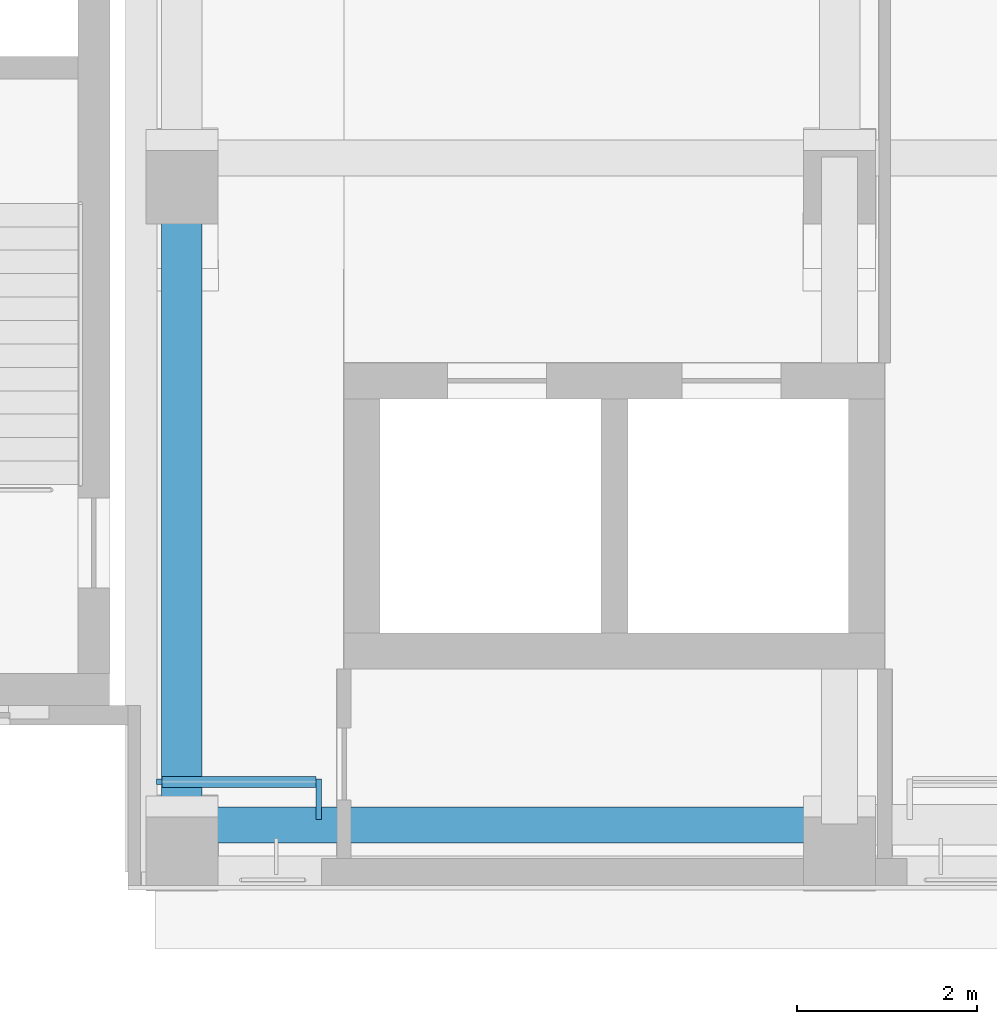
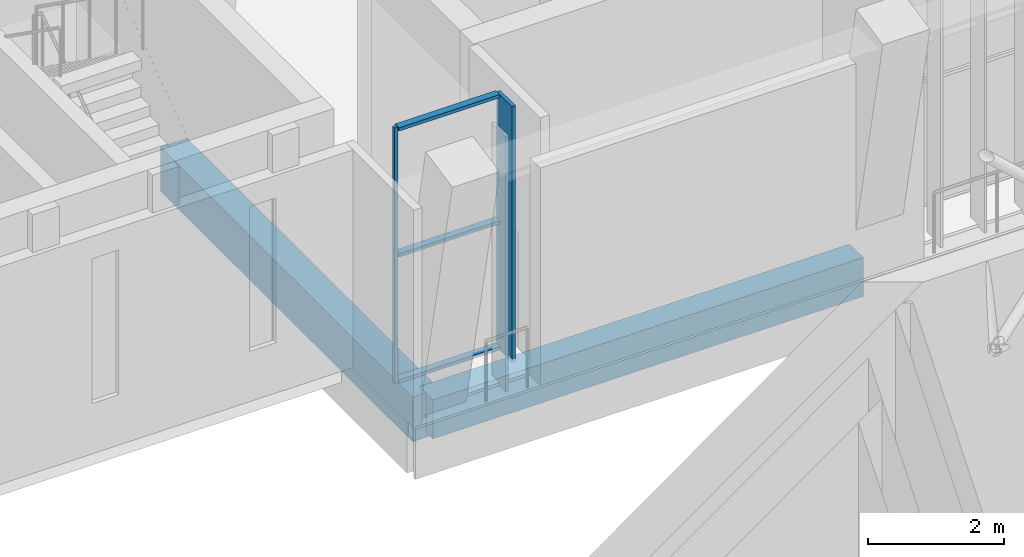
# One storey, part 30 of 141: 5 members, 2 beams, 1 element without a shape of its own.
"""IFC4 building model written with IfcOpenShell, lengths in metres."""

from ifc_helpers import new_model, si_unit, direction, frame, origin, origin_2d, place, context, subcontext, project, spatial, rectangle, extrude, material, material_profile, profile_set, type_object, element, aggregate, save


model = new_model("IFC4")

# Units and contexts
model_context = context("Model", 3, precision=1e-05, world=origin(), true_north=direction((0.0, 1.0)))
body_context = subcontext(model_context, "Body", "Model", "MODEL_VIEW")
ifc_project = project(units=[si_unit("LENGTHUNIT", "METRE"), si_unit("AREAUNIT", "SQUARE_METRE"), si_unit("VOLUMEUNIT", "CUBIC_METRE"), si_unit("PLANEANGLEUNIT", "RADIAN"), si_unit("MASSUNIT", "GRAM", prefix="KILO")], contexts=[model_context])

# Site, building, storey
site_placement = place(None, origin())
site = spatial("IfcSite", under=ifc_project, at=site_placement, CompositionType="ELEMENT")
building_placement = place(site_placement, origin())
building = spatial("IfcBuilding", under=site, at=building_placement, Name="Lantern Court Media Centre", CompositionType="ELEMENT")
storey_placement = place(building_placement, frame((0.0, 0.0, 9.60009765625)))
storey = spatial("IfcBuildingStorey", under=building, at=storey_placement, Name="L02", CompositionType="ELEMENT", Elevation=9.60009765625)

# Curtain wall, members
ifc_material_1 = material(Name="Curtain wall bay 3000")
curtain_wall_type = type_object("IfcCurtainWallType", Name="Curtain wall bay 3000", PredefinedType="NOTDEFINED", material=ifc_material_1)
curtain_wall_placement = place(storey_placement, origin())
curtain_wall = element("IfcCurtainWall", 1, at=curtain_wall_placement, inside=storey, type_object=curtain_wall_type, Name="Curtain wall S outer L02", PredefinedType="NOTDEFINED")
ifc_material_2 = material(Name="Anodised aluminium", Category="aluminium")
ifc_material_profile_1 = material_profile(ifc_material_2, rectangle(XDim=0.449951171875, YDim=0.06005859375, at=origin_2d()), Name="AL 60x450")
ifc_profile_set_1 = profile_set([ifc_material_profile_1], Name="Anodised aluminium")
member_type_1 = type_object("IfcMemberType", Name="Curtain wall mullion 60x450", PredefinedType="MULLION", material=ifc_profile_set_1)
member_1_placement = place(storey_placement, frame((26.219970703125, 46.955078125, 0.0), z_axis=(0.0, 0.0, 1.0), x_axis=(0.0, 1.0, 0.0)))
member_1 = element("IfcMember", 2, at=member_1_placement, type_object=member_type_1, Name="CW1 mullion 2", PredefinedType="MULLION", context=body_context, shape_type="SweptSolid", body=[
    extrude(rectangle(XDim=0.449951171875, YDim=0.06005859375, at=origin_2d()), origin(), (0.0, 0.0, 1.0), 4.579833984375),
])
ifc_material_profile_2 = material_profile(ifc_material_2, rectangle(XDim=0.06005859375, YDim=0.06005859375, at=origin_2d()), Name="AL 60x60")
ifc_profile_set_2 = profile_set([ifc_material_profile_2], Name="Anodised aluminium")
member_type_2 = type_object("IfcMemberType", Name="Curtain wall mullion 60x60", PredefinedType="MULLION", material=ifc_profile_set_2)
member_2_placement = place(storey_placement, frame((24.449951171875, 47.14990234375, 0.0), z_axis=(0.0, 0.0, 1.0), x_axis=(0.0, 1.0, 0.0)))
member_2 = element("IfcMember", 3, at=member_2_placement, type_object=member_type_2, Name="CW1 mullion 1", PredefinedType="MULLION", context=body_context, shape_type="SweptSolid", body=[
    extrude(rectangle(XDim=0.06005859375, YDim=0.06005859375, at=origin_2d()), origin(), (0.0, 0.0, 1.0), 4.579833984375),
])
ifc_material_profile_3 = material_profile(ifc_material_2, rectangle(XDim=0.1201171875, YDim=0.06005859375, at=origin_2d()), Name="AL 60x120")
ifc_profile_set_3 = profile_set([ifc_material_profile_3], Name="Anodised aluminium")
member_type_3 = type_object("IfcMemberType", Name="Curtain wall transom 60x120", PredefinedType="USERDEFINED", material=ifc_profile_set_3)
member_3_placement = place(storey_placement, frame((24.47998046875, 47.14990234375, 0.02978515625), z_axis=(1.0, 0.0, 0.0), x_axis=(0.0, 1.0, 0.0)))
member_3 = element("IfcMember", 4, at=member_3_placement, type_object=member_type_3, Name="CW1 transom 1.1", ObjectType="TRANSOM", PredefinedType="USERDEFINED", context=body_context, shape_type="SweptSolid", body=[
    extrude(rectangle(XDim=0.1201171875, YDim=0.06005859375, at=origin_2d()), origin(), (0.0, 0.0, 1.0), 1.7099609375),
])
member_4_placement = place(storey_placement, frame((24.47998046875, 47.14990234375, 2.289794921875), z_axis=(1.0, 0.0, 0.0), x_axis=(0.0, 1.0, 0.0)))
member_4 = element("IfcMember", 5, at=member_4_placement, type_object=member_type_3, Name="CW1 transom 1.2", ObjectType="TRANSOM", PredefinedType="USERDEFINED", context=body_context, shape_type="SweptSolid", body=[
    extrude(rectangle(XDim=0.1201171875, YDim=0.06005859375, at=origin_2d()), origin(), (0.0, 0.0, 1.0), 1.7099609375),
])
member_5_placement = place(storey_placement, frame((24.47998046875, 47.14990234375, 4.5498046875), z_axis=(1.0, 0.0, 0.0), x_axis=(0.0, 1.0, 0.0)))
member_5 = element("IfcMember", 6, at=member_5_placement, type_object=member_type_3, Name="CW1 transom 1.3", ObjectType="TRANSOM", PredefinedType="USERDEFINED", context=body_context, shape_type="SweptSolid", body=[
    extrude(rectangle(XDim=0.1201171875, YDim=0.06005859375, at=origin_2d()), origin(), (0.0, 0.0, 1.0), 1.7099609375),
])
aggregate(curtain_wall, [member_2, member_1, member_3, member_4, member_5])

# Beams
ifc_material_3 = material(Name="Concrete C35", Category="concrete")
ifc_material_profile_4 = material_profile(ifc_material_3, rectangle(XDim=0.39990234375, YDim=0.699951171875, at=origin_2d()), Name="RC 400x700")
ifc_profile_set_4 = profile_set([ifc_material_profile_4], Name="Concrete C35")
beam_type_1 = type_object("IfcBeamType", Name="RC BEAM 400x700", PredefinedType="BEAM", material=ifc_profile_set_4)
beam_1_placement = place(storey_placement, frame((24.699951171875, 46.6728515625, -0.35009765625), z_axis=(1.0, 0.0, 0.0), x_axis=(0.0, 1.0, 0.0)))
element("IfcBeam", 7, at=beam_1_placement, inside=storey, type_object=beam_type_1, Name="LB-S-L02-0-0", PredefinedType="BEAM", context=body_context, shape_type="SweptSolid", body=[
    extrude(rectangle(XDim=0.39990234375, YDim=0.699951171875, at=origin_2d()), origin(), (0.0, 0.0, 1.0), 7.300048828125),
])
ifc_material_profile_5 = material_profile(ifc_material_3, rectangle(XDim=0.449951171875, YDim=0.800048828125, at=origin_2d()), Name="RC 450x800")
ifc_profile_set_5 = profile_set([ifc_material_profile_5], Name="Concrete C35")
beam_type_2 = type_object("IfcBeamType", Name="RC BEAM 450x800", PredefinedType="BEAM", material=ifc_profile_set_5)
beam_2_placement = place(storey_placement, frame((24.699951171875, 46.683349609375, -0.400146484375), z_axis=(0.0, 1.0, 0.0), x_axis=(-1.0, 0.0, 0.0)))
element("IfcBeam", 8, at=beam_2_placement, inside=storey, type_object=beam_type_2, Name="TB-S-L02-0-1", PredefinedType="BEAM", context=body_context, shape_type="SweptSolid", body=[
    extrude(rectangle(XDim=0.449951171875, YDim=0.800048828125, at=origin_2d()), origin(), (0.0, 0.0, 1.0), 7.39990234375),
])

save(model, "model.ifc")
